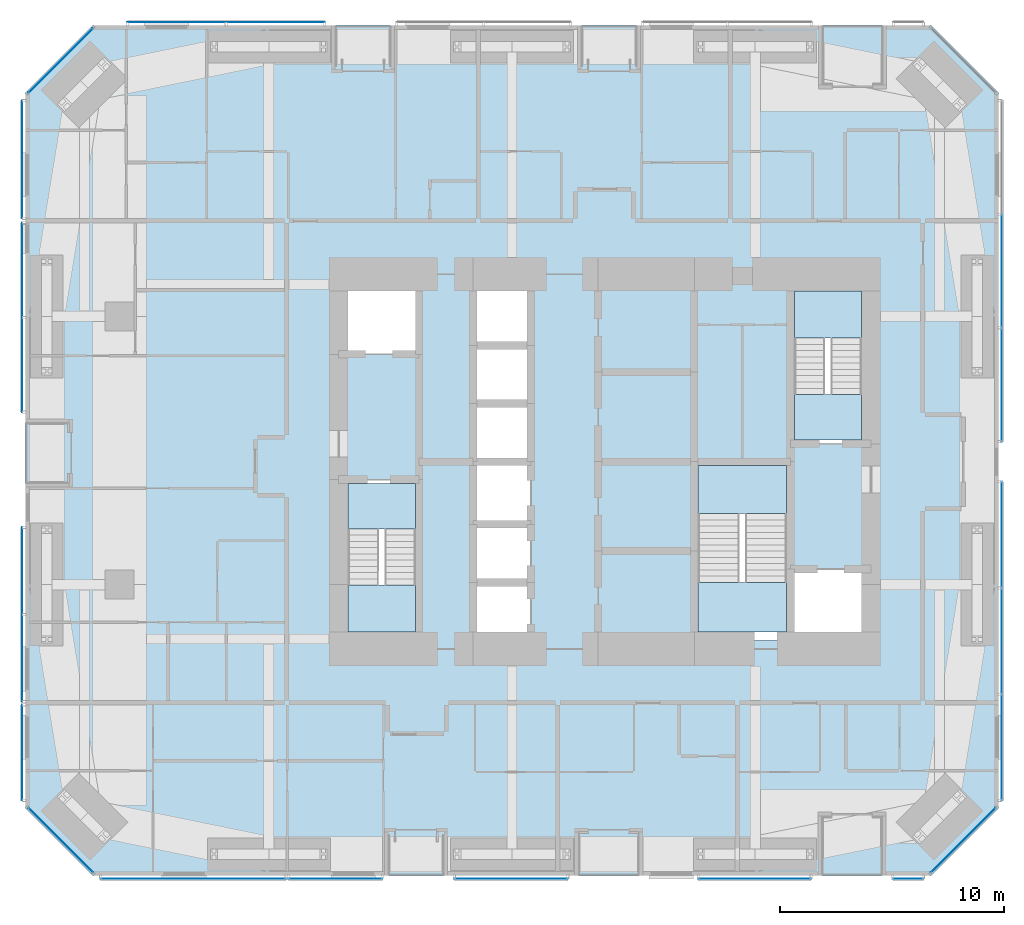
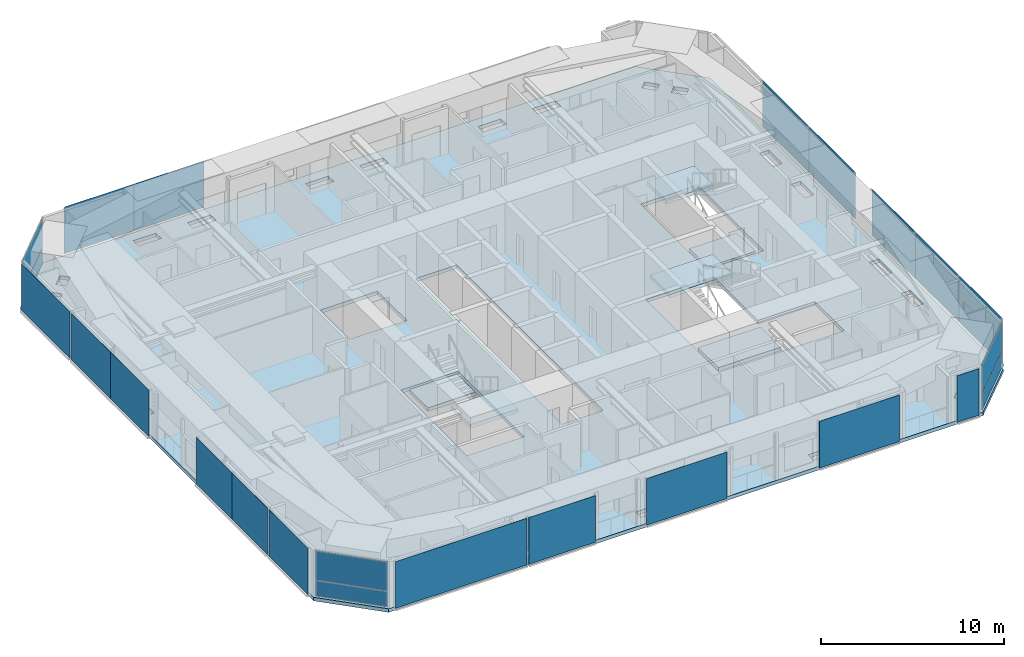
# One storey, part 15 of 24: 24 plates, 7 slabs, 18 elements without a shape of their own.
"""IFC4 building model written with IfcOpenShell, lengths in metres."""

from ifc_helpers import new_model, si_unit, direction, frame, origin, origin_2d, place, context, subcontext, project, spatial, polyline, rectangle, outline, extrude, material, layer, layer_set, type_object, element, aggregate, save


model = new_model("IFC4")

# Units and contexts
model_context = context("Model", 3, precision=1e-05, world=origin(), true_north=direction((0.0, 1.0)))
body_context = subcontext(model_context, "Body", "Model", "MODEL_VIEW")
ifc_project = project(units=[si_unit("LENGTHUNIT", "METRE"), si_unit("AREAUNIT", "SQUARE_METRE"), si_unit("VOLUMEUNIT", "CUBIC_METRE"), si_unit("PLANEANGLEUNIT", "RADIAN"), si_unit("MASSUNIT", "GRAM", prefix="KILO")], contexts=[model_context])

# Site, building, storey
site_placement = place(None, origin())
site = spatial("IfcSite", under=ifc_project, at=site_placement, CompositionType="ELEMENT")
building_placement = place(site_placement, origin())
building = spatial("IfcBuilding", under=site, at=building_placement, Name="Jalousie Tower", CompositionType="ELEMENT")
storey_placement = place(building_placement, frame((0.0, 0.0, 91.449951171875)))
storey = spatial("IfcBuildingStorey", under=building, at=storey_placement, Name="L24", CompositionType="ELEMENT", Elevation=91.449951171875)

# Curtain wall, plates
ifc_material_1 = material(Name="Aluminium curtain wall", Category="aluminium")
curtain_wall_type_1 = type_object("IfcCurtainWallType", Name="CORNER WINDOW WALL", PredefinedType="USERDEFINED", material=ifc_material_1)
curtain_wall_1_placement = place(storey_placement, origin())
curtain_wall_1 = element("IfcCurtainWall", 1, at=curtain_wall_1_placement, inside=storey, type_object=curtain_wall_type_1, Name="Corner Window Wall L24 2", ObjectType="CORNER WINDOW WALL", PredefinedType="USERDEFINED")
ifc_material_2 = material(Name="Laminated impact-rated spandrel glass", Category="glass")
ifc_layer_1 = layer(ifc_material_2, 0.028076171875)
ifc_layer_set_1 = layer_set([ifc_layer_1], Name="Laminated impact-rated spandrel glass")
plate_type_1 = type_object("IfcPlateType", Name="CORNER WINDOW WALL PANEL", PredefinedType="CURTAIN_PANEL", material=ifc_layer_set_1)
plate_1_placement = place(storey_placement, frame((47.9306640625, 1.5693359375, 0.06005859375), z_axis=(0.0, 0.0, 1.0), x_axis=(0.707106781187, 0.707106781187, 0.0)))
plate_1 = element("IfcPlate", 2, at=plate_1_placement, type_object=plate_type_1, Name="CW-C panel 1.1", PredefinedType="CURTAIN_PANEL", context=body_context, shape_type="SweptSolid", body=[
    extrude(rectangle(XDim=4.071533203125, YDim=0.028076171875, at=origin_2d()), origin(), (0.0, 0.0, 1.0), 1.010009765625),
])
plate_2_placement = place(storey_placement, frame((47.9306640625, 1.5693359375, 1.130126953125), z_axis=(0.0, 0.0, 1.0), x_axis=(0.707106781187, 0.707106781187, 0.0)))
plate_2 = element("IfcPlate", 3, at=plate_2_placement, type_object=plate_type_1, Name="CW-C panel 1.2", PredefinedType="CURTAIN_PANEL", context=body_context, shape_type="SweptSolid", body=[
    extrude(rectangle(XDim=4.071533203125, YDim=0.028076171875, at=origin_2d()), origin(), (0.0, 0.0, 1.0), 1.919921875),
])
aggregate(curtain_wall_1, [plate_1, plate_2])

curtain_wall_2_placement = place(storey_placement, origin())
curtain_wall_2 = element("IfcCurtainWall", 4, at=curtain_wall_2_placement, inside=storey, type_object=curtain_wall_type_1, Name="Corner Window Wall L24 6", ObjectType="CORNER WINDOW WALL", PredefinedType="USERDEFINED")
plate_3_placement = place(storey_placement, frame((7.5693359375, 36.4306640625, 0.06005859375), z_axis=(0.0, 0.0, 1.0), x_axis=(-0.707106781187, -0.707106781187, 0.0)))
plate_3 = element("IfcPlate", 5, at=plate_3_placement, type_object=plate_type_1, Name="CW-C panel 1.1", PredefinedType="CURTAIN_PANEL", context=body_context, shape_type="SweptSolid", body=[
    extrude(rectangle(XDim=4.071533203125, YDim=0.028076171875, at=origin_2d()), origin(), (0.0, 0.0, 1.0), 1.010009765625),
])
plate_4_placement = place(storey_placement, frame((7.5693359375, 36.4306640625, 1.130126953125), z_axis=(0.0, 0.0, 1.0), x_axis=(-0.707106781187, -0.707106781187, 0.0)))
plate_4 = element("IfcPlate", 6, at=plate_4_placement, type_object=plate_type_1, Name="CW-C panel 1.2", PredefinedType="CURTAIN_PANEL", context=body_context, shape_type="SweptSolid", body=[
    extrude(rectangle(XDim=4.071533203125, YDim=0.028076171875, at=origin_2d()), origin(), (0.0, 0.0, 1.0), 1.919921875),
])
aggregate(curtain_wall_2, [plate_3, plate_4])

curtain_wall_3_placement = place(storey_placement, origin())
curtain_wall_3 = element("IfcCurtainWall", 7, at=curtain_wall_3_placement, inside=storey, type_object=curtain_wall_type_1, Name="Corner Window Wall L24 8", ObjectType="CORNER WINDOW WALL", PredefinedType="USERDEFINED")
plate_5_placement = place(storey_placement, frame((7.5693359375, 1.5693359375, 0.06005859375), z_axis=(0.0, 0.0, 1.0), x_axis=(0.707106781187, -0.707106781187, 0.0)))
plate_5 = element("IfcPlate", 8, at=plate_5_placement, type_object=plate_type_1, Name="CW-C panel 1.1", PredefinedType="CURTAIN_PANEL", context=body_context, shape_type="SweptSolid", body=[
    extrude(rectangle(XDim=4.071533203125, YDim=0.028076171875, at=origin_2d()), origin(), (0.0, 0.0, 1.0), 1.010009765625),
])
plate_6_placement = place(storey_placement, frame((7.5693359375, 1.5693359375, 1.130126953125), z_axis=(0.0, 0.0, 1.0), x_axis=(0.707106781187, -0.707106781187, 0.0)))
plate_6 = element("IfcPlate", 9, at=plate_6_placement, type_object=plate_type_1, Name="CW-C panel 1.2", PredefinedType="CURTAIN_PANEL", context=body_context, shape_type="SweptSolid", body=[
    extrude(rectangle(XDim=4.071533203125, YDim=0.028076171875, at=origin_2d()), origin(), (0.0, 0.0, 1.0), 1.919921875),
])
aggregate(curtain_wall_3, [plate_5, plate_6])

# Slab
ifc_material_3 = material(Name="Concrete f'c 40 MPa", Category="concrete")
ifc_layer_2 = layer(ifc_material_3, 0.239990234375)
ifc_layer_set_2 = layer_set([ifc_layer_2], Name="Concrete f'c 40 MPa")
slab_type_1 = type_object("IfcSlabType", Name="FLOOR SLAB 240", PredefinedType="FLOOR", material=ifc_layer_set_2)
slab_1_placement = place(storey_placement, frame((0.0, 0.0, -0.239990234375)))
element("IfcSlab", 10, at=slab_1_placement, inside=storey, type_object=slab_type_1, Name="L24 floor slab", PredefinedType="FLOOR", context=body_context, shape_type="SweptSolid", body=[
    extrude(outline(polyline([(9.0, 0.0), (46.5, 0.0), (49.5, 3.0), (49.5, 35.0), (46.5, 38.0), (9.0, 38.0), (6.0, 35.0), (6.0, 3.0), (9.0, 0.0)]), holes=[polyline([(14.425048828125, 0.663818359375), (14.425048828125, 1.236083984375), (14.425048828125, 1.23876953125), (14.502685546875, 1.23876953125), (14.502685546875, 1.236083984375), (15.888916015625, 1.236083984375), (15.888916015625, 0.663818359375), (14.502685546875, 0.663818359375), (14.502685546875, 0.6611328125), (14.425048828125, 0.6611328125), (14.425048828125, 0.663818359375)]), polyline([(25.377685546875, 0.663818359375), (25.377685546875, 0.6611328125), (25.300048828125, 0.6611328125), (25.300048828125, 0.663818359375), (25.300048828125, 1.236083984375), (25.300048828125, 1.23876953125), (25.377685546875, 1.23876953125), (25.377685546875, 1.236083984375), (26.763916015625, 1.236083984375), (26.763916015625, 0.663818359375), (25.377685546875, 0.663818359375)]), polyline([(19.247314453125, 1.236083984375), (19.247314453125, 1.23876953125), (19.324951171875, 1.23876953125), (19.324951171875, 1.236083984375), (19.324951171875, 0.663818359375), (19.324951171875, 0.6611328125), (19.247314453125, 0.6611328125), (19.247314453125, 0.663818359375), (17.861083984375, 0.663818359375), (17.861083984375, 1.236083984375), (19.247314453125, 1.236083984375)]), polyline([(9.095458984375, 1.759033203125), (9.09716796875, 1.7607421875), (8.71435546875, 2.1435546875), (9.119140625, 2.54833984375), (9.501953125, 2.16552734375), (9.50390625, 2.167236328125), (9.61328125, 2.0576171875), (9.611572265625, 2.055908203125), (9.717529296875, 1.949951171875), (9.31298828125, 1.545166015625), (9.206787109375, 1.651123046875), (9.205078125, 1.6494140625), (9.095458984375, 1.759033203125)]), polyline([(7.545166015625, 3.31298828125), (7.949951171875, 3.717529296875), (8.055908203125, 3.611572265625), (8.0576171875, 3.61328125), (8.167236328125, 3.50390625), (8.16552734375, 3.501953125), (8.54833984375, 3.119140625), (8.1435546875, 2.71435546875), (7.7607421875, 3.09716796875), (7.759033203125, 3.095458984375), (7.6494140625, 3.205078125), (7.651123046875, 3.206787109375), (7.545166015625, 3.31298828125)]), polyline([(6.663818359375, 12.013916015625), (7.236083984375, 12.013916015625), (7.236083984375, 10.627685546875), (7.23876953125, 10.627685546875), (7.23876953125, 10.550048828125), (7.236083984375, 10.550048828125), (6.663818359375, 10.550048828125), (6.6611328125, 10.550048828125), (6.6611328125, 10.627685546875), (6.663818359375, 10.627685546875), (6.663818359375, 12.013916015625)]), polyline([(26.0, 10.5), (26.0, 26.5), (28.60009765625, 26.5), (28.60009765625, 10.5), (26.0, 10.5)]), polyline([(20.0, 10.5), (23.60009765625, 10.5), (23.60009765625, 17.699951171875), (20.0, 17.699951171875), (20.0, 10.5)]), polyline([(6.663818359375, 15.449951171875), (7.236083984375, 15.449951171875), (7.23876953125, 15.449951171875), (7.23876953125, 15.372314453125), (7.236083984375, 15.372314453125), (7.236083984375, 13.986083984375), (6.663818359375, 13.986083984375), (6.663818359375, 15.372314453125), (6.6611328125, 15.372314453125), (6.6611328125, 15.449951171875), (6.663818359375, 15.449951171875)]), polyline([(7.236083984375, 22.627685546875), (7.23876953125, 22.627685546875), (7.23876953125, 22.550048828125), (7.236083984375, 22.550048828125), (6.663818359375, 22.550048828125), (6.6611328125, 22.550048828125), (6.6611328125, 22.627685546875), (6.663818359375, 22.627685546875), (6.663818359375, 24.013916015625), (7.236083984375, 24.013916015625), (7.236083984375, 22.627685546875)]), polyline([(20.0, 23.300048828125), (23.60009765625, 23.300048828125), (23.60009765625, 26.5), (20.0, 26.5), (20.0, 23.300048828125)]), polyline([(7.236083984375, 27.449951171875), (7.23876953125, 27.449951171875), (7.23876953125, 27.372314453125), (7.236083984375, 27.372314453125), (7.236083984375, 25.986083984375), (6.663818359375, 25.986083984375), (6.663818359375, 27.372314453125), (6.6611328125, 27.372314453125), (6.6611328125, 27.449951171875), (6.663818359375, 27.449951171875), (7.236083984375, 27.449951171875)]), polyline([(7.949951171875, 34.282470703125), (7.545166015625, 34.68701171875), (7.651123046875, 34.793212890625), (7.6494140625, 34.794921875), (7.759033203125, 34.904541015625), (7.7607421875, 34.90283203125), (8.1435546875, 35.28564453125), (8.54833984375, 34.880859375), (8.16552734375, 34.498046875), (8.167236328125, 34.49609375), (8.0576171875, 34.38671875), (8.055908203125, 34.388427734375), (7.949951171875, 34.282470703125)]), polyline([(9.31298828125, 36.454833984375), (9.717529296875, 36.050048828125), (9.611572265625, 35.944091796875), (9.61328125, 35.9423828125), (9.50390625, 35.832763671875), (9.501953125, 35.83447265625), (9.119140625, 35.45166015625), (8.71435546875, 35.8564453125), (9.09716796875, 36.2392578125), (9.095458984375, 36.240966796875), (9.205078125, 36.3505859375), (9.206787109375, 36.348876953125), (9.31298828125, 36.454833984375)]), polyline([(25.377685546875, 36.763916015625), (25.377685546875, 36.76123046875), (25.300048828125, 36.76123046875), (25.300048828125, 36.763916015625), (25.300048828125, 37.336181640625), (25.300048828125, 37.338623046875), (25.377685546875, 37.338623046875), (25.377685546875, 37.336181640625), (26.763916015625, 37.336181640625), (26.763916015625, 36.763916015625), (25.377685546875, 36.763916015625)]), polyline([(17.861083984375, 36.763916015625), (17.861083984375, 37.336181640625), (19.247314453125, 37.336181640625), (19.247314453125, 37.338623046875), (19.324951171875, 37.338623046875), (19.324951171875, 37.336181640625), (19.324951171875, 36.763916015625), (19.324951171875, 36.76123046875), (19.247314453125, 36.76123046875), (19.247314453125, 36.763916015625), (17.861083984375, 36.763916015625)]), polyline([(15.888916015625, 37.336181640625), (15.888916015625, 36.763916015625), (14.502685546875, 36.763916015625), (14.502685546875, 36.76123046875), (14.425048828125, 36.76123046875), (14.425048828125, 36.763916015625), (14.425048828125, 37.336181640625), (14.425048828125, 37.338623046875), (14.502685546875, 37.338623046875), (14.502685546875, 37.336181640625), (15.888916015625, 37.336181640625)]), polyline([(30.199951171875, 0.663818359375), (30.199951171875, 0.6611328125), (30.122314453125, 0.6611328125), (30.122314453125, 0.663818359375), (28.736083984375, 0.663818359375), (28.736083984375, 1.236083984375), (30.122314453125, 1.236083984375), (30.122314453125, 1.23876953125), (30.199951171875, 1.23876953125), (30.199951171875, 1.236083984375), (30.199951171875, 0.663818359375)]), polyline([(36.252685546875, 0.663818359375), (36.252685546875, 0.6611328125), (36.175048828125, 0.6611328125), (36.175048828125, 0.663818359375), (36.175048828125, 1.236083984375), (36.175048828125, 1.23876953125), (36.252685546875, 1.23876953125), (36.252685546875, 1.236083984375), (37.638916015625, 1.236083984375), (37.638916015625, 0.663818359375), (36.252685546875, 0.663818359375)]), polyline([(40.997314453125, 1.236083984375), (40.997314453125, 1.23876953125), (41.074951171875, 1.23876953125), (41.074951171875, 1.236083984375), (41.074951171875, 0.663818359375), (41.074951171875, 0.6611328125), (40.997314453125, 0.6611328125), (40.997314453125, 0.663818359375), (39.611083984375, 0.663818359375), (39.611083984375, 1.236083984375), (40.997314453125, 1.236083984375)]), polyline([(46.40283203125, 1.7607421875), (46.404541015625, 1.759033203125), (46.294921875, 1.6494140625), (46.293212890625, 1.651123046875), (46.18701171875, 1.545166015625), (45.782470703125, 1.949951171875), (45.888427734375, 2.055908203125), (45.88671875, 2.0576171875), (45.99609375, 2.167236328125), (45.998046875, 2.16552734375), (46.380859375, 2.54833984375), (46.78564453125, 2.1435546875), (46.40283203125, 1.7607421875)]), polyline([(47.33447265625, 3.501953125), (47.332763671875, 3.50390625), (47.4423828125, 3.61328125), (47.444091796875, 3.611572265625), (47.550048828125, 3.717529296875), (47.954833984375, 3.31298828125), (47.848876953125, 3.206787109375), (47.8505859375, 3.205078125), (47.740966796875, 3.095458984375), (47.7392578125, 3.09716796875), (47.3564453125, 2.71435546875), (46.95166015625, 3.119140625), (47.33447265625, 3.501953125)]), polyline([(48.263916015625, 12.013916015625), (48.836181640625, 12.013916015625), (48.836181640625, 10.627685546875), (48.838623046875, 10.627685546875), (48.838623046875, 10.550048828125), (48.836181640625, 10.550048828125), (48.263916015625, 10.550048828125), (48.26123046875, 10.550048828125), (48.26123046875, 10.627685546875), (48.263916015625, 10.627685546875), (48.263916015625, 12.013916015625)]), polyline([(35.89990234375, 18.5), (40.199951171875, 18.5), (40.199951171875, 13.699951171875), (43.800048828125, 13.699951171875), (43.800048828125, 10.5), (35.89990234375, 10.5), (35.89990234375, 18.5)]), polyline([(48.836181640625, 15.449951171875), (48.838623046875, 15.449951171875), (48.838623046875, 15.372314453125), (48.836181640625, 15.372314453125), (48.836181640625, 13.986083984375), (48.263916015625, 13.986083984375), (48.263916015625, 15.372314453125), (48.26123046875, 15.372314453125), (48.26123046875, 15.449951171875), (48.263916015625, 15.449951171875), (48.836181640625, 15.449951171875)]), polyline([(40.199951171875, 19.300048828125), (43.800048828125, 19.300048828125), (43.800048828125, 26.5), (40.199951171875, 26.5), (40.199951171875, 19.300048828125)]), polyline([(48.263916015625, 24.013916015625), (48.836181640625, 24.013916015625), (48.836181640625, 22.627685546875), (48.838623046875, 22.627685546875), (48.838623046875, 22.550048828125), (48.836181640625, 22.550048828125), (48.263916015625, 22.550048828125), (48.26123046875, 22.550048828125), (48.26123046875, 22.627685546875), (48.263916015625, 22.627685546875), (48.263916015625, 24.013916015625)]), polyline([(48.263916015625, 27.449951171875), (48.836181640625, 27.449951171875), (48.838623046875, 27.449951171875), (48.838623046875, 27.372314453125), (48.836181640625, 27.372314453125), (48.836181640625, 25.986083984375), (48.263916015625, 25.986083984375), (48.263916015625, 27.372314453125), (48.26123046875, 27.372314453125), (48.26123046875, 27.449951171875), (48.263916015625, 27.449951171875)]), polyline([(47.7392578125, 34.90283203125), (47.740966796875, 34.904541015625), (47.8505859375, 34.794921875), (47.848876953125, 34.793212890625), (47.954833984375, 34.68701171875), (47.550048828125, 34.282470703125), (47.444091796875, 34.388427734375), (47.4423828125, 34.38671875), (47.332763671875, 34.49609375), (47.33447265625, 34.498046875), (46.95166015625, 34.880859375), (47.3564453125, 35.28564453125), (47.7392578125, 34.90283203125)]), polyline([(45.782470703125, 36.050048828125), (46.18701171875, 36.454833984375), (46.293212890625, 36.348876953125), (46.294921875, 36.3505859375), (46.404541015625, 36.240966796875), (46.40283203125, 36.2392578125), (46.78564453125, 35.8564453125), (46.380859375, 35.45166015625), (45.998046875, 35.83447265625), (45.99609375, 35.832763671875), (45.88671875, 35.9423828125), (45.888427734375, 35.944091796875), (45.782470703125, 36.050048828125)]), polyline([(40.997314453125, 37.336181640625), (40.997314453125, 37.338623046875), (41.074951171875, 37.338623046875), (41.074951171875, 37.336181640625), (41.074951171875, 36.763916015625), (41.074951171875, 36.76123046875), (40.997314453125, 36.76123046875), (40.997314453125, 36.763916015625), (39.611083984375, 36.763916015625), (39.611083984375, 37.336181640625), (40.997314453125, 37.336181640625)]), polyline([(36.175048828125, 37.336181640625), (36.175048828125, 37.338623046875), (36.252685546875, 37.338623046875), (36.252685546875, 37.336181640625), (37.638916015625, 37.336181640625), (37.638916015625, 36.763916015625), (36.252685546875, 36.763916015625), (36.252685546875, 36.76123046875), (36.175048828125, 36.76123046875), (36.175048828125, 36.763916015625), (36.175048828125, 37.336181640625)]), polyline([(30.122314453125, 36.763916015625), (28.736083984375, 36.763916015625), (28.736083984375, 37.336181640625), (30.122314453125, 37.336181640625), (30.122314453125, 37.338623046875), (30.199951171875, 37.338623046875), (30.199951171875, 37.336181640625), (30.199951171875, 36.763916015625), (30.199951171875, 36.76123046875), (30.122314453125, 36.76123046875), (30.122314453125, 36.763916015625)])]), origin(), (0.0, 0.0, 1.0), 0.239990234375),
])

# Curtain wall, plate
ifc_material_4 = material(Name="Perforated aluminium sheet", Category="aluminium")
curtain_wall_type_2 = type_object("IfcCurtainWallType", Name="SOLAR SCREEN SS-1", PredefinedType="USERDEFINED", material=ifc_material_4)
curtain_wall_4_placement = place(storey_placement, origin())
curtain_wall_4 = element("IfcCurtainWall", 11, at=curtain_wall_4_placement, inside=storey, type_object=curtain_wall_type_2, Name="Solar screen L24", ObjectType="SOLAR SCREEN SS-1", PredefinedType="USERDEFINED")
ifc_material_5 = material(Name="Perforated aluminium sheet", Category="aluminium")
ifc_layer_3 = layer(ifc_material_5, 0.006103515625)
ifc_layer_set_3 = layer_set([ifc_layer_3], Name="Perforated aluminium sheet")
plate_type_2 = type_object("IfcPlateType", Name="SOLAR SCREEN SS-1 PANEL", PredefinedType="CURTAIN_PANEL", material=ifc_layer_set_3)
plate_7_placement = place(storey_placement, frame((13.500732421875, -0.150390625, 0.0), z_axis=(0.0, 0.0, 1.0), x_axis=(1.0, 0.0, 0.0)))
plate_7 = element("IfcPlate", 12, at=plate_7_placement, type_object=plate_type_2, Name="SS1 perforated panel 1", PredefinedType="CURTAIN_PANEL", context=body_context, shape_type="SweptSolid", body=[
    extrude(rectangle(XDim=8.298583984375, YDim=0.006103515625, at=origin_2d()), origin(), (0.0, 0.0, 1.0), 3.110107421875),
])
aggregate(curtain_wall_4, [plate_7])

curtain_wall_5_placement = place(storey_placement, origin())
curtain_wall_5 = element("IfcCurtainWall", 13, at=curtain_wall_5_placement, inside=storey, type_object=curtain_wall_type_2, Name="Solar screen L24", ObjectType="SOLAR SCREEN SS-1", PredefinedType="USERDEFINED")
plate_8_placement = place(storey_placement, frame((19.85009765625, -0.150390625, 0.0), z_axis=(0.0, 0.0, 1.0), x_axis=(1.0, 0.0, 0.0)))
plate_8 = element("IfcPlate", 14, at=plate_8_placement, type_object=plate_type_2, Name="SS1 perforated panel 1", PredefinedType="CURTAIN_PANEL", context=body_context, shape_type="SweptSolid", body=[
    extrude(rectangle(XDim=4.199951171875, YDim=0.006103515625, at=origin_2d()), origin(), (0.0, 0.0, 1.0), 3.110107421875),
])
aggregate(curtain_wall_5, [plate_8])

curtain_wall_6_placement = place(storey_placement, origin())
curtain_wall_6 = element("IfcCurtainWall", 15, at=curtain_wall_6_placement, inside=storey, type_object=curtain_wall_type_2, Name="Solar screen L24", ObjectType="SOLAR SCREEN SS-1", PredefinedType="USERDEFINED")
plate_9_placement = place(storey_placement, frame((27.71240234375, -0.150390625, 0.0), z_axis=(0.0, 0.0, 1.0), x_axis=(1.0, 0.0, 0.0)))
plate_9 = element("IfcPlate", 16, at=plate_9_placement, type_object=plate_type_2, Name="SS1 perforated panel 1", PredefinedType="CURTAIN_PANEL", context=body_context, shape_type="SweptSolid", body=[
    extrude(rectangle(XDim=5.074951171875, YDim=0.006103515625, at=origin_2d()), origin(), (0.0, 0.0, 1.0), 3.110107421875),
])
aggregate(curtain_wall_6, [plate_9])

curtain_wall_7_placement = place(storey_placement, origin())
curtain_wall_7 = element("IfcCurtainWall", 17, at=curtain_wall_7_placement, inside=storey, type_object=curtain_wall_type_2, Name="Solar screen L24", ObjectType="SOLAR SCREEN SS-1", PredefinedType="USERDEFINED")
plate_10_placement = place(storey_placement, frame((38.60009765625, -0.150390625, 0.0), z_axis=(0.0, 0.0, 1.0), x_axis=(1.0, 0.0, 0.0)))
plate_10 = element("IfcPlate", 18, at=plate_10_placement, type_object=plate_type_2, Name="SS1 perforated panel 1", PredefinedType="CURTAIN_PANEL", context=body_context, shape_type="SweptSolid", body=[
    extrude(rectangle(XDim=5.050048828125, YDim=0.006103515625, at=origin_2d()), origin(), (0.0, 0.0, 1.0), 3.110107421875),
])
aggregate(curtain_wall_7, [plate_10])

curtain_wall_8_placement = place(storey_placement, origin())
curtain_wall_8 = element("IfcCurtainWall", 19, at=curtain_wall_8_placement, inside=storey, type_object=curtain_wall_type_2, Name="Solar screen L24", ObjectType="SOLAR SCREEN SS-1", PredefinedType="USERDEFINED")
plate_11_placement = place(storey_placement, frame((45.4619140625, -0.150390625, 0.0), z_axis=(0.0, 0.0, 1.0), x_axis=(1.0, 0.0, 0.0)))
plate_11 = element("IfcPlate", 20, at=plate_11_placement, type_object=plate_type_2, Name="SS1 perforated panel 1", PredefinedType="CURTAIN_PANEL", context=body_context, shape_type="SweptSolid", body=[
    extrude(rectangle(XDim=1.373779296875, YDim=0.006103515625, at=origin_2d()), origin(), (0.0, 0.0, 1.0), 3.110107421875),
])
aggregate(curtain_wall_8, [plate_11])

# Curtain wall, plates
curtain_wall_9_placement = place(storey_placement, origin())
curtain_wall_9 = element("IfcCurtainWall", 21, at=curtain_wall_9_placement, inside=storey, type_object=curtain_wall_type_2, Name="Solar screen L24", ObjectType="SOLAR SCREEN SS-1", PredefinedType="USERDEFINED")
plate_12_placement = place(storey_placement, frame((49.650390625, 5.72607421875, 0.0), z_axis=(0.0, 0.0, 1.0), x_axis=(0.0, 1.0, 0.0)))
plate_12 = element("IfcPlate", 22, at=plate_12_placement, type_object=plate_type_2, Name="SS1 perforated panel 1", PredefinedType="CURTAIN_PANEL", context=body_context, shape_type="SweptSolid", body=[
    extrude(rectangle(XDim=4.74951171875, YDim=0.006103515625, at=origin_2d()), origin(), (0.0, 0.0, 1.0), 3.110107421875),
])
plate_13_placement = place(storey_placement, frame((49.650390625, 10.4755859375, 0.0), z_axis=(0.0, 0.0, 1.0), x_axis=(0.0, 1.0, 0.0)))
plate_13 = element("IfcPlate", 23, at=plate_13_placement, type_object=plate_type_2, Name="SS1 perforated panel 2", PredefinedType="CURTAIN_PANEL", context=body_context, shape_type="SweptSolid", body=[
    extrude(rectangle(XDim=4.74951171875, YDim=0.006103515625, at=origin_2d()), origin(), (0.0, 0.0, 1.0), 3.110107421875),
])
plate_14_placement = place(storey_placement, frame((49.650390625, 15.22509765625, 0.0), z_axis=(0.0, 0.0, 1.0), x_axis=(0.0, 1.0, 0.0)))
plate_14 = element("IfcPlate", 24, at=plate_14_placement, type_object=plate_type_2, Name="SS1 perforated panel 3", PredefinedType="CURTAIN_PANEL", context=body_context, shape_type="SweptSolid", body=[
    extrude(rectangle(XDim=4.74951171875, YDim=0.006103515625, at=origin_2d()), origin(), (0.0, 0.0, 1.0), 3.110107421875),
])
aggregate(curtain_wall_9, [plate_12, plate_13, plate_14])

curtain_wall_10_placement = place(storey_placement, origin())
curtain_wall_10 = element("IfcCurtainWall", 25, at=curtain_wall_10_placement, inside=storey, type_object=curtain_wall_type_2, Name="Solar screen L24", ObjectType="SOLAR SCREEN SS-1", PredefinedType="USERDEFINED")
plate_15_placement = place(storey_placement, frame((49.650390625, 21.94140625, 0.0), z_axis=(0.0, 0.0, 1.0), x_axis=(0.0, 1.0, 0.0)))
plate_15 = element("IfcPlate", 26, at=plate_15_placement, type_object=plate_type_2, Name="SS1 perforated panel 1", PredefinedType="CURTAIN_PANEL", context=body_context, shape_type="SweptSolid", body=[
    extrude(rectangle(XDim=5.0830078125, YDim=0.006103515625, at=origin_2d()), origin(), (0.0, 0.0, 1.0), 3.110107421875),
])
plate_16_placement = place(storey_placement, frame((49.650390625, 27.0244140625, 0.0), z_axis=(0.0, 0.0, 1.0), x_axis=(0.0, 1.0, 0.0)))
plate_16 = element("IfcPlate", 27, at=plate_16_placement, type_object=plate_type_2, Name="SS1 perforated panel 2", PredefinedType="CURTAIN_PANEL", context=body_context, shape_type="SweptSolid", body=[
    extrude(rectangle(XDim=5.0830078125, YDim=0.006103515625, at=origin_2d()), origin(), (0.0, 0.0, 1.0), 3.110107421875),
])
aggregate(curtain_wall_10, [plate_15, plate_16])

curtain_wall_11_placement = place(storey_placement, origin())
curtain_wall_11 = element("IfcCurtainWall", 28, at=curtain_wall_11_placement, inside=storey, type_object=curtain_wall_type_2, Name="Solar screen L24", ObjectType="SOLAR SCREEN SS-1", PredefinedType="USERDEFINED")
plate_17_placement = place(storey_placement, frame((17.168701171875, 38.150390625, 0.0), z_axis=(0.0, 0.0, 1.0), x_axis=(-1.0, 0.0, 0.0)))
plate_17 = element("IfcPlate", 29, at=plate_17_placement, type_object=plate_type_2, Name="SS1 perforated panel 1", PredefinedType="CURTAIN_PANEL", context=body_context, shape_type="SweptSolid", body=[
    extrude(rectangle(XDim=4.41259765625, YDim=0.006103515625, at=origin_2d()), origin(), (0.0, 0.0, 1.0), 3.110107421875),
])
plate_18_placement = place(storey_placement, frame((12.75634765625, 38.150390625, 0.0), z_axis=(0.0, 0.0, 1.0), x_axis=(-1.0, 0.0, 0.0)))
plate_18 = element("IfcPlate", 30, at=plate_18_placement, type_object=plate_type_2, Name="SS1 perforated panel 2", PredefinedType="CURTAIN_PANEL", context=body_context, shape_type="SweptSolid", body=[
    extrude(rectangle(XDim=4.41259765625, YDim=0.006103515625, at=origin_2d()), origin(), (0.0, 0.0, 1.0), 3.110107421875),
])
aggregate(curtain_wall_11, [plate_17, plate_18])

# Curtain wall, plate
curtain_wall_12_placement = place(storey_placement, origin())
curtain_wall_12 = element("IfcCurtainWall", 31, at=curtain_wall_12_placement, inside=storey, type_object=curtain_wall_type_2, Name="Solar screen L24", ObjectType="SOLAR SCREEN SS-1", PredefinedType="USERDEFINED")
plate_19_placement = place(storey_placement, frame((5.849609375, 32.01171875, 0.0), z_axis=(0.0, 0.0, 1.0), x_axis=(0.0, -1.0, 0.0)))
plate_19 = element("IfcPlate", 32, at=plate_19_placement, type_object=plate_type_2, Name="SS1 perforated panel 1", PredefinedType="CURTAIN_PANEL", context=body_context, shape_type="SweptSolid", body=[
    extrude(rectangle(XDim=5.273681640625, YDim=0.006103515625, at=origin_2d()), origin(), (0.0, 0.0, 1.0), 3.110107421875),
])
aggregate(curtain_wall_12, [plate_19])

# Curtain wall, plates
curtain_wall_13_placement = place(storey_placement, origin())
curtain_wall_13 = element("IfcCurtainWall", 33, at=curtain_wall_13_placement, inside=storey, type_object=curtain_wall_type_2, Name="Solar screen L24", ObjectType="SOLAR SCREEN SS-1", PredefinedType="USERDEFINED")
plate_20_placement = place(storey_placement, frame((5.849609375, 27.060302734375, 0.0), z_axis=(0.0, 0.0, 1.0), x_axis=(0.0, -1.0, 0.0)))
plate_20 = element("IfcPlate", 34, at=plate_20_placement, type_object=plate_type_2, Name="SS1 perforated panel 1", PredefinedType="CURTAIN_PANEL", context=body_context, shape_type="SweptSolid", body=[
    extrude(rectangle(XDim=4.229248046875, YDim=0.006103515625, at=origin_2d()), origin(), (0.0, 0.0, 1.0), 3.110107421875),
])
plate_21_placement = place(storey_placement, frame((5.849609375, 22.831298828125, 0.0), z_axis=(0.0, 0.0, 1.0), x_axis=(0.0, -1.0, 0.0)))
plate_21 = element("IfcPlate", 35, at=plate_21_placement, type_object=plate_type_2, Name="SS1 perforated panel 2", PredefinedType="CURTAIN_PANEL", context=body_context, shape_type="SweptSolid", body=[
    extrude(rectangle(XDim=4.229248046875, YDim=0.006103515625, at=origin_2d()), origin(), (0.0, 0.0, 1.0), 3.110107421875),
])
aggregate(curtain_wall_13, [plate_20, plate_21])

curtain_wall_14_placement = place(storey_placement, origin())
curtain_wall_14 = element("IfcCurtainWall", 36, at=curtain_wall_14_placement, inside=storey, type_object=curtain_wall_type_2, Name="Solar screen L24", ObjectType="SOLAR SCREEN SS-1", PredefinedType="USERDEFINED")
plate_22_placement = place(storey_placement, frame((5.849609375, 13.6123046875, 0.0), z_axis=(0.0, 0.0, 1.0), x_axis=(0.0, -1.0, 0.0)))
plate_22 = element("IfcPlate", 37, at=plate_22_placement, type_object=plate_type_2, Name="SS1 perforated panel 1", PredefinedType="CURTAIN_PANEL", context=body_context, shape_type="SweptSolid", body=[
    extrude(rectangle(XDim=3.8916015625, YDim=0.006103515625, at=origin_2d()), origin(), (0.0, 0.0, 1.0), 3.110107421875),
])
plate_23_placement = place(storey_placement, frame((5.849609375, 9.720703125, 0.0), z_axis=(0.0, 0.0, 1.0), x_axis=(0.0, -1.0, 0.0)))
plate_23 = element("IfcPlate", 38, at=plate_23_placement, type_object=plate_type_2, Name="SS1 perforated panel 2", PredefinedType="CURTAIN_PANEL", context=body_context, shape_type="SweptSolid", body=[
    extrude(rectangle(XDim=3.8916015625, YDim=0.006103515625, at=origin_2d()), origin(), (0.0, 0.0, 1.0), 3.110107421875),
])
aggregate(curtain_wall_14, [plate_22, plate_23])

# Curtain wall, plate
curtain_wall_15_placement = place(storey_placement, origin())
curtain_wall_15 = element("IfcCurtainWall", 39, at=curtain_wall_15_placement, inside=storey, type_object=curtain_wall_type_2, Name="Solar screen L24", ObjectType="SOLAR SCREEN SS-1", PredefinedType="USERDEFINED")
plate_24_placement = place(storey_placement, frame((5.849609375, 5.48828125, 0.0), z_axis=(0.0, 0.0, 1.0), x_axis=(0.0, -1.0, 0.0)))
plate_24 = element("IfcPlate", 40, at=plate_24_placement, type_object=plate_type_2, Name="SS1 perforated panel 1", PredefinedType="CURTAIN_PANEL", context=body_context, shape_type="SweptSolid", body=[
    extrude(rectangle(XDim=4.273681640625, YDim=0.006103515625, at=origin_2d()), origin(), (0.0, 0.0, 1.0), 3.110107421875),
])
aggregate(curtain_wall_15, [plate_24])

# Stair, slabs
ifc_material_6 = material(Name="Concrete f'c 40 MPa", Category="concrete")
stair_type = type_object("IfcStairType", Name="EXIT STAIR", PredefinedType="HALF_TURN_STAIR", material=ifc_material_6)
stair_1_placement = place(storey_placement, origin())
stair_1 = element("IfcStair", 41, at=stair_1_placement, inside=storey, type_object=stair_type, Name="Exit stair A L24", PredefinedType="HALF_TURN_STAIR")
ifc_material_7 = material(Name="Concrete f'c 40 MPa", Category="concrete")
ifc_layer_4 = layer(ifc_material_7, 0.25)
ifc_layer_set_4 = layer_set([ifc_layer_4], Name="Concrete f'c 40 MPa")
slab_type_2 = type_object("IfcSlabType", Name="STAIR LANDING 250", PredefinedType="LANDING", material=ifc_layer_set_4)
slab_2_placement = place(storey_placement, frame((0.0, 0.0, -0.25)))
slab_2 = element("IfcSlab", 42, at=slab_2_placement, type_object=slab_type_2, Name="ST-A landing 1", PredefinedType="LANDING", context=body_context, shape_type="SweptSolid", body=[
    extrude(outline(polyline([(20.425048828125, 15.49755859375), (23.425048828125, 15.49755859375), (23.425048828125, 17.52490234375), (20.425048828125, 17.52490234375), (20.425048828125, 15.49755859375)])), origin(), (0.0, 0.0, 1.0), 0.25),
])
slab_3_placement = place(storey_placement, frame((0.0, 0.0, 1.425048828125)))
slab_3 = element("IfcSlab", 43, at=slab_3_placement, type_object=slab_type_2, Name="ST-A landing 2", PredefinedType="LANDING", context=body_context, shape_type="SweptSolid", body=[
    extrude(outline(polyline([(20.425048828125, 10.875), (23.425048828125, 10.875), (23.425048828125, 12.9775390625), (20.425048828125, 12.9775390625), (20.425048828125, 10.875)])), origin(), (0.0, 0.0, 1.0), 0.25),
])
aggregate(stair_1, [slab_2, slab_3])

stair_2_placement = place(storey_placement, origin())
stair_2 = element("IfcStair", 44, at=stair_2_placement, inside=storey, type_object=stair_type, Name="Exit stair B L24", PredefinedType="HALF_TURN_STAIR")
slab_4_placement = place(storey_placement, frame((0.0, 0.0, -0.25)))
slab_4 = element("IfcSlab", 45, at=slab_4_placement, type_object=slab_type_2, Name="ST-B landing 1", PredefinedType="LANDING", context=body_context, shape_type="SweptSolid", body=[
    extrude(outline(polyline([(40.375, 19.47509765625), (43.375, 19.47509765625), (43.375, 21.50244140625), (40.375, 21.50244140625), (40.375, 19.47509765625)])), origin(), (0.0, 0.0, 1.0), 0.25),
])
slab_5_placement = place(storey_placement, frame((0.0, 0.0, 1.425048828125)))
slab_5 = element("IfcSlab", 46, at=slab_5_placement, type_object=slab_type_2, Name="ST-B landing 2", PredefinedType="LANDING", context=body_context, shape_type="SweptSolid", body=[
    extrude(outline(polyline([(40.375, 24.0224609375), (43.375, 24.0224609375), (43.375, 26.125), (40.375, 26.125), (40.375, 24.0224609375)])), origin(), (0.0, 0.0, 1.0), 0.25),
])
aggregate(stair_2, [slab_4, slab_5])

stair_3_placement = place(storey_placement, origin())
stair_3 = element("IfcStair", 47, at=stair_3_placement, inside=storey, type_object=stair_type, Name="Exit stair C L24", PredefinedType="HALF_TURN_STAIR")
slab_6_placement = place(storey_placement, frame((0.0, 0.0, -0.25)))
slab_6 = element("IfcSlab", 48, at=slab_6_placement, type_object=slab_type_2, Name="ST-C landing 1", PredefinedType="LANDING", context=body_context, shape_type="SweptSolid", body=[
    extrude(outline(polyline([(36.074951171875, 10.875), (40.02490234375, 10.875), (40.02490234375, 13.097412109375), (36.074951171875, 13.097412109375), (36.074951171875, 10.875)])), origin(), (0.0, 0.0, 1.0), 0.25),
])
slab_7_placement = place(storey_placement, frame((0.0, 0.0, 1.425048828125)))
slab_7 = element("IfcSlab", 49, at=slab_7_placement, type_object=slab_type_2, Name="ST-C landing 2", PredefinedType="LANDING", context=body_context, shape_type="SweptSolid", body=[
    extrude(outline(polyline([(36.074951171875, 16.177490234375), (40.02490234375, 16.177490234375), (40.02490234375, 18.324951171875), (36.074951171875, 18.324951171875), (36.074951171875, 16.177490234375)])), origin(), (0.0, 0.0, 1.0), 0.25),
])
aggregate(stair_3, [slab_6, slab_7])

save(model, "model.ifc")
